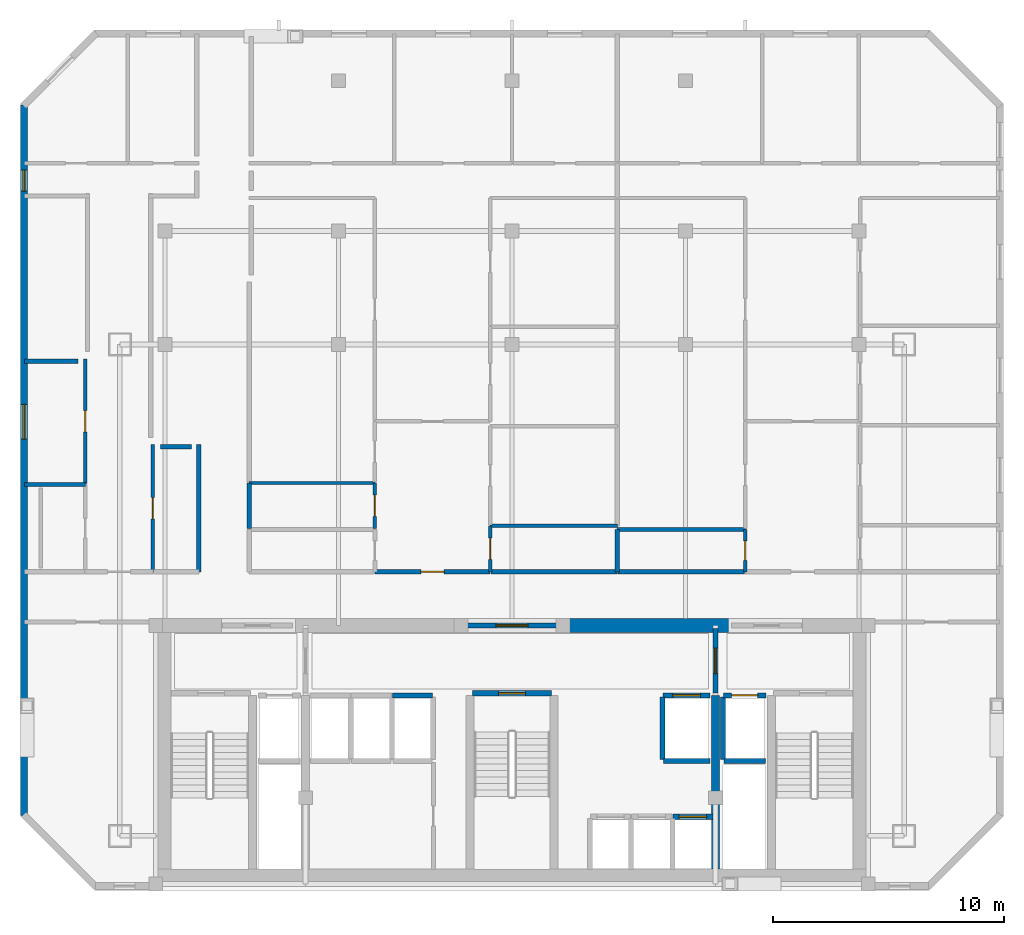
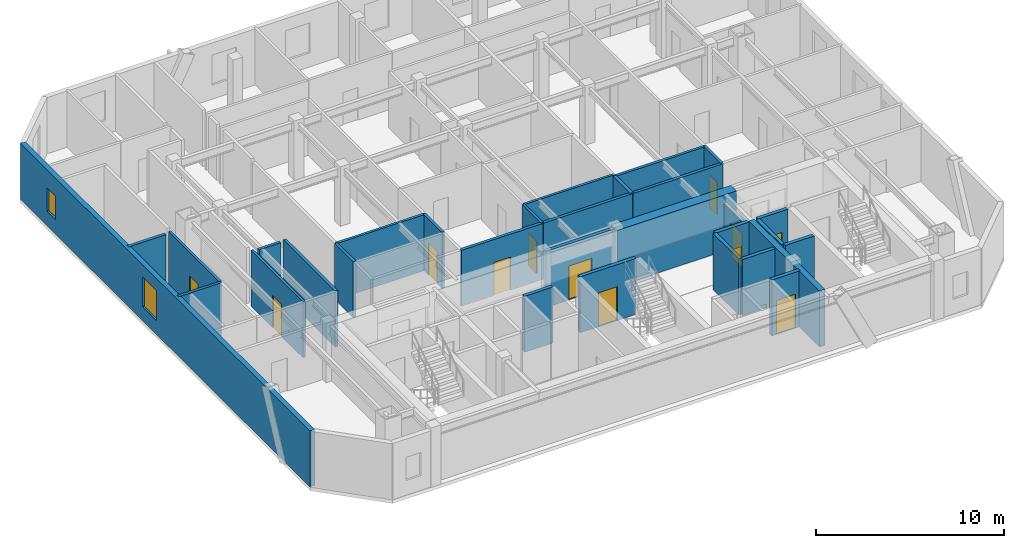
# One storey, part 3 of 7: 31 walls, 12 doors, 2 windows, 14 openings.
"""IFC4 building model written with IfcOpenShell, lengths in metres."""

from ifc_helpers import new_model, si_unit, direction, frame, frame_2d, origin, place, context, subcontext, project, spatial, rectangle, extrude, material, layer, layer_set, type_object, element, fill, save


model = new_model("IFC4")

# Units and contexts
model_context = context("Model", 3, precision=1e-05, world=origin(), true_north=direction((0.0, 1.0)))
body_context = subcontext(model_context, "Body", "Model", "MODEL_VIEW")
ifc_project = project(units=[si_unit("LENGTHUNIT", "METRE"), si_unit("AREAUNIT", "SQUARE_METRE"), si_unit("VOLUMEUNIT", "CUBIC_METRE"), si_unit("PLANEANGLEUNIT", "RADIAN"), si_unit("MASSUNIT", "GRAM", prefix="KILO")], contexts=[model_context])

# Site, building, storey
site_placement = place(None, origin())
site = spatial("IfcSite", under=ifc_project, at=site_placement, CompositionType="ELEMENT")
building_placement = place(site_placement, origin())
building = spatial("IfcBuilding", under=site, at=building_placement, Name="Ventersveld Concourse Tower", CompositionType="ELEMENT")
storey_placement = place(building_placement, frame((0.0, 0.0, 227.25)))
storey = spatial("IfcBuildingStorey", under=building, at=storey_placement, Name="L56", CompositionType="ELEMENT", Elevation=227.25)

# Walls
ifc_material_1 = material(Name="Concrete C50/60", Category="concrete")
ifc_layer_1 = layer(ifc_material_1, 0.35009765625)
ifc_layer_set_1 = layer_set([ifc_layer_1], Name="Concrete C50/60")
wall_type_1 = type_object("IfcWallType", Name="WL-CORE-350U", PredefinedType="SHEAR", material=ifc_layer_set_1)
wall_1_placement = place(storey_placement, frame((37.550048828125, 0.919921875, 0.0), z_axis=(0.0, 0.0, 1.0), x_axis=(0.0, 1.0, 0.0)))
element("IfcWall", 1, at=wall_1_placement, inside=storey, type_object=wall_type_1, Name="L56 Core Internal Shear Web W-SVL-W", PredefinedType="SHEAR", context=body_context, shape_type="SweptSolid", body=[
    extrude(rectangle(XDim=7.5, YDim=0.35009765625, at=frame_2d((3.75, 0.0))), origin(), (0.0, 0.0, 1.0), 3.6298828125),
])
ifc_layer_2 = layer(ifc_material_1, 0.60009765625)
ifc_layer_set_2 = layer_set([ifc_layer_2], Name="Concrete C50/60")
wall_type_2 = type_object("IfcWallType", Name="WL-CORE-600", PredefinedType="SHEAR", material=ifc_layer_set_2)
wall_2_placement = place(storey_placement, frame((30.89990234375, 11.449951171875, 0.0), z_axis=(0.0, 0.0, 1.0), x_axis=(1.0, 0.0, 0.0)))
element("IfcWall", 2, at=wall_2_placement, inside=storey, type_object=wall_type_2, Name="L56 Rear Core North Shear Wall NMR", PredefinedType="SHEAR", context=body_context, shape_type="SweptSolid", body=[
    extrude(rectangle(XDim=7.300048828125, YDim=0.60009765625, at=frame_2d((3.64990234375, 0.0))), origin(), (0.0, 0.0, 1.0), 3.6298828125),
])
ifc_material_2 = material(Name="Fire-rated autoclaved aerated masonry blockwork", Category="masonry")
ifc_layer_3 = layer(ifc_material_2, 0.179931640625)
ifc_layer_set_3 = layer_set([ifc_layer_3], Name="Fire-rated autoclaved aerated masonry blockwork")
wall_type_3 = type_object("IfcWallType", Name="WL-CORR-180", PredefinedType="PARTITIONING", material=ifc_layer_set_3)
wall_3_placement = place(storey_placement, frame((15.2099609375, 13.764892578125, 0.0), z_axis=(0.0, 0.0, 1.0), x_axis=(0.0, 1.0, 0.0)))
element("IfcWall", 3, at=wall_3_placement, inside=storey, type_object=wall_type_3, Name="L56 Interior Partition SP-L56-COR-SP-L56-56NW-KIT", PredefinedType="PARTITIONING", context=body_context, shape_type="SweptSolid", body=[
    extrude(rectangle(XDim=5.50634765625, YDim=0.179931640625, at=frame_2d((2.753173828125, 0.0))), origin(), (0.0, 0.0, 1.0), 3.6298828125),
])

# Wall, opening, door
wall_4_placement = place(storey_placement, frame((22.8173828125, 13.77001953125, 0.0), z_axis=(0.0, 0.0, 1.0), x_axis=(1.0, 0.0, 0.0)))
wall_4 = element("IfcWall", 4, at=wall_4_placement, inside=storey, type_object=wall_type_3, Name="L56 Interior Partition SP-L56-COR-SP-L56-56N1-FOY", PredefinedType="PARTITIONING", context=body_context, shape_type="SweptSolid", body=[
    extrude(rectangle(XDim=4.989990234375, YDim=0.179931640625, at=frame_2d((2.4951171875, 0.0))), origin(), (0.0, 0.0, 1.0), 3.6298828125),
])
opening_1_placement = place(wall_4_placement, frame((1.9951171875, 0.0, 0.0)))
opening_1 = element("IfcOpeningElement", 5, at=opening_1_placement, cuts=wall_4, Name="Opening FD3", PredefinedType="OPENING", context=body_context, shape_type="SweptSolid", body=[
    extrude(rectangle(XDim=1.0, YDim=2.14990234375, at=frame_2d((0.5, 1.074951171875))), frame((0.0, 0.10009765625, 0.0), z_axis=(0.0, -1.0, 0.0), x_axis=(1.0, 0.0, 0.0)), (0.0, 0.0, 1.0), 0.199951171875),
])
ifc_material_3 = material(Name="Solid-core hardwood veneer timber", Category="wood")
door_type_1 = type_object("IfcDoorType", Name="DR-FLAT-100", OperationType="NOTDEFINED", PredefinedType="DOOR", material=ifc_material_3)
door_1_placement = place(opening_1_placement, origin())
door_1 = element("IfcDoor", 6, at=door_1_placement, inside=storey, type_object=door_type_1, Name="L56 Interior Door SP-L56-COR to SP-L56-56N1-FOY (FD-L56-2706)", OperationType="SINGLE_SWING_RIGHT", OverallHeight=2.14990234375, OverallWidth=1.0, PredefinedType="DOOR", context=body_context, shape_type="SweptSolid", body=[
    extrude(rectangle(XDim=1.0, YDim=2.14990234375, at=frame_2d((0.5, 1.074951171875))), frame((0.0, 0.02490234375, 0.0), z_axis=(0.0, -1.0, 0.0), x_axis=(1.0, 0.0, 0.0)), (0.0, 0.0, 1.0), 0.050048828125),
])
fill(opening_1, door_1)

# Walls
wall_5_placement = place(storey_placement, frame((17.389892578125, 15.635009765625, 0.0), z_axis=(0.0, 0.0, 1.0), x_axis=(0.0, 1.0, 0.0)))
element("IfcWall", 7, at=wall_5_placement, inside=storey, type_object=wall_type_3, Name="L56 Interior Partition SP-L56-COR-SP-L56-56N1-PANL0", PredefinedType="PARTITIONING", context=body_context, shape_type="SweptSolid", body=[
    extrude(rectangle(XDim=1.977783203125, YDim=0.179931640625, at=frame_2d((0.98876953125, 0.0))), origin(), (0.0, 0.0, 1.0), 3.6298828125),
])
wall_6_placement = place(storey_placement, frame((27.83740234375, 13.77001953125, 0.0), z_axis=(0.0, 0.0, 1.0), x_axis=(1.0, 0.0, 0.0)))
element("IfcWall", 8, at=wall_6_placement, inside=storey, type_object=wall_type_3, Name="L56 Interior Partition SP-L56-COR-SP-L56-56N1-KIT", PredefinedType="PARTITIONING", context=body_context, shape_type="SweptSolid", body=[
    extrude(rectangle(XDim=5.467529296875, YDim=0.179931640625, at=frame_2d((2.73388671875, 0.0))), origin(), (0.0, 0.0, 1.0), 3.6298828125),
])
wall_7_placement = place(storey_placement, frame((33.3349609375, 13.77001953125, 0.0), z_axis=(0.0, 0.0, 1.0), x_axis=(1.0, 0.0, 0.0)))
element("IfcWall", 9, at=wall_7_placement, inside=storey, type_object=wall_type_3, Name="L56 Interior Partition SP-L56-COR-SP-L56-56N2-BATH", PredefinedType="PARTITIONING", context=body_context, shape_type="SweptSolid", body=[
    extrude(rectangle(XDim=5.46044921875, YDim=0.179931640625, at=frame_2d((2.730224609375, 0.0))), origin(), (0.0, 0.0, 1.0), 3.6298828125),
])
wall_8_placement = place(storey_placement, frame((7.672607421875, 22.8740234375, 0.0), z_axis=(0.0, 0.0, 1.0), x_axis=(1.0, 0.0, 0.0)))
element("IfcWall", 10, at=wall_8_placement, inside=storey, type_object=wall_type_3, Name="L56 Room Enclosure Wall SP-L56-56NW-PANL0", PredefinedType="PARTITIONING", context=body_context, shape_type="SweptSolid", body=[
    extrude(rectangle(XDim=2.30615234375, YDim=0.179931640625, at=frame_2d((1.153076171875, 0.0))), origin(), (0.0, 0.0, 1.0), 3.6298828125),
])
wall_9_placement = place(storey_placement, frame((13.54931640625, 19.17626953125, 0.0), z_axis=(0.0, 0.0, 1.0), x_axis=(1.0, 0.0, 0.0)))
element("IfcWall", 11, at=wall_9_placement, inside=storey, type_object=wall_type_3, Name="L56 Room Enclosure Wall SP-L56-56NW-KIT", PredefinedType="PARTITIONING", context=body_context, shape_type="SweptSolid", body=[
    extrude(rectangle(XDim=1.335693359375, YDim=0.179931640625, at=frame_2d((0.66796875, 0.0))), origin(), (0.0, 0.0, 1.0), 3.6298828125),
])
ifc_layer_4 = layer(ifc_material_2, 0.199951171875)
ifc_layer_set_4 = layer_set([ifc_layer_4], Name="Fire-rated autoclaved aerated masonry blockwork")
wall_type_4 = type_object("IfcWallType", Name="WL-DEMISE-200", PredefinedType="PARTITIONING", material=ifc_layer_set_4)
wall_10_placement = place(storey_placement, frame((33.300048828125, 13.764892578125, 0.0), z_axis=(0.0, 0.0, 1.0), x_axis=(0.0, 1.0, 0.0)))
element("IfcWall", 12, at=wall_10_placement, inside=storey, type_object=wall_type_4, Name="L56 Interior Partition SP-L56-56N1-KIT-SP-L56-56N2-BATH", PredefinedType="PARTITIONING", context=body_context, shape_type="SweptSolid", body=[
    extrude(rectangle(XDim=1.840087890625, YDim=0.199951171875, at=frame_2d((0.919921875, 0.0))), origin(), (0.0, 0.0, 1.0), 3.6298828125),
])
ifc_layer_5 = layer(ifc_material_2, 0.219970703125)
ifc_layer_set_5 = layer_set([ifc_layer_5], Name="Fire-rated autoclaved aerated masonry blockwork")
wall_type_5 = type_object("IfcWallType", Name="WL-HOIST-220", PredefinedType="SOLIDWALL", material=ifc_layer_set_5)
wall_11_placement = place(storey_placement, frame((37.919921875, 5.590087890625, 0.0), z_axis=(0.0, 0.0, 1.0), x_axis=(1.0, 0.0, 0.0)))
element("IfcWall", 13, at=wall_11_placement, inside=storey, type_object=wall_type_5, Name="L56 Lift Hoistway Back Wall FFL-02", PredefinedType="SOLIDWALL", context=body_context, shape_type="SweptSolid", body=[
    extrude(rectangle(XDim=1.780029296875, YDim=0.219970703125, at=frame_2d((0.89013671875, 0.0))), origin(), (0.0, 0.0, 1.0), 3.6298828125),
])
wall_12_placement = place(storey_placement, frame((37.8798828125, 5.64990234375, 0.0), z_axis=(0.0, 0.0, 1.0), x_axis=(0.0, 1.0, 0.0)))
element("IfcWall", 14, at=wall_12_placement, inside=storey, type_object=wall_type_5, Name="L56 Lift Hoistway Side Wall FFL-02W", PredefinedType="SOLIDWALL", context=body_context, shape_type="SweptSolid", body=[
    extrude(rectangle(XDim=2.7001953125, YDim=0.219970703125, at=frame_2d((1.35009765625, 0.0))), origin(), (0.0, 0.0, 1.0), 3.6298828125),
])

# Wall, opening, door
wall_13_placement = place(storey_placement, frame((37.89990234375, 8.429931640625, 0.0), z_axis=(0.0, 0.0, 1.0), x_axis=(1.0, 0.0, 0.0)))
wall_13 = element("IfcWall", 15, at=wall_13_placement, inside=storey, type_object=wall_type_5, Name="L56 Lift Hoistway Front Wall FFL-02", PredefinedType="SOLIDWALL", context=body_context, shape_type="SweptSolid", body=[
    extrude(rectangle(XDim=1.820068359375, YDim=0.219970703125, at=frame_2d((0.91015625, 0.0))), origin(), (0.0, 0.0, 1.0), 3.6298828125),
])
opening_2_placement = place(wall_13_placement, frame((0.35009765625, 0.0, 0.0)))
opening_2 = element("IfcOpeningElement", 16, at=opening_2_placement, cuts=wall_13, Name="Opening LD1", PredefinedType="OPENING", context=body_context, shape_type="SweptSolid", body=[
    extrude(rectangle(XDim=1.1201171875, YDim=2.25, at=frame_2d((0.56005859375, 1.125))), frame((0.0, 0.1201171875, 0.0), z_axis=(0.0, -1.0, 0.0), x_axis=(1.0, 0.0, 0.0)), (0.0, 0.0, 1.0), 0.239990234375),
])
ifc_material_4 = material(Name="Brushed stainless steel 316", Category="steel")
door_type_2 = type_object("IfcDoorType", Name="LD-FF-112", OperationType="SLIDING_TO_LEFT", PredefinedType="DOOR", material=ifc_material_4)
door_2_placement = place(opening_2_placement, origin())
door_2 = element("IfcDoor", 17, at=door_2_placement, inside=storey, type_object=door_type_2, Name="L56 Lift landing door FFL-02 (LD-L56-FFL-02)", OperationType="SLIDING_TO_RIGHT", OverallHeight=2.25, OverallWidth=1.1201171875, PredefinedType="DOOR", context=body_context, shape_type="SweptSolid", body=[
    extrude(rectangle(XDim=1.1201171875, YDim=2.25, at=frame_2d((0.56005859375, 1.125))), frame((0.0, 0.02490234375, 0.0), z_axis=(0.0, -1.0, 0.0), x_axis=(1.0, 0.0, 0.0)), (0.0, 0.0, 1.0), 0.050048828125),
])
fill(opening_2, door_2)

# Walls
wall_14_placement = place(storey_placement, frame((35.300048828125, 5.590087890625, 0.0), z_axis=(0.0, 0.0, 1.0), x_axis=(1.0, 0.0, 0.0)))
element("IfcWall", 18, at=wall_14_placement, inside=storey, type_object=wall_type_5, Name="L56 Lift Hoistway Back Wall SVL-01", PredefinedType="SOLIDWALL", context=body_context, shape_type="SweptSolid", body=[
    extrude(rectangle(XDim=2.0, YDim=0.219970703125, at=frame_2d((1.0, 0.0))), origin(), (0.0, 0.0, 1.0), 3.6298828125),
])
wall_15_placement = place(storey_placement, frame((35.260009765625, 5.64990234375, 0.0), z_axis=(0.0, 0.0, 1.0), x_axis=(0.0, 1.0, 0.0)))
element("IfcWall", 19, at=wall_15_placement, inside=storey, type_object=wall_type_5, Name="L56 Lift Hoistway Side Wall SVL-01W", PredefinedType="SOLIDWALL", context=body_context, shape_type="SweptSolid", body=[
    extrude(rectangle(XDim=2.7001953125, YDim=0.219970703125, at=frame_2d((1.35009765625, 0.0))), origin(), (0.0, 0.0, 1.0), 3.6298828125),
])

# Wall, opening, door
wall_16_placement = place(storey_placement, frame((35.280029296875, 8.429931640625, 0.0), z_axis=(0.0, 0.0, 1.0), x_axis=(1.0, 0.0, 0.0)))
wall_16 = element("IfcWall", 20, at=wall_16_placement, inside=storey, type_object=wall_type_5, Name="L56 Lift Hoistway Front Wall SVL-01", PredefinedType="SOLIDWALL", context=body_context, shape_type="SweptSolid", body=[
    extrude(rectangle(XDim=2.0400390625, YDim=0.219970703125, at=frame_2d((1.02001953125, 0.0))), origin(), (0.0, 0.0, 1.0), 3.6298828125),
])
opening_3_placement = place(wall_16_placement, frame((0.429931640625, 0.0, 0.0)))
opening_3 = element("IfcOpeningElement", 21, at=opening_3_placement, cuts=wall_16, Name="Opening LD2", PredefinedType="OPENING", context=body_context, shape_type="SweptSolid", body=[
    extrude(rectangle(XDim=1.179931640625, YDim=2.199951171875, at=frame_2d((0.58984375, 1.10009765625))), frame((0.0, 0.1201171875, 0.0), z_axis=(0.0, -1.0, 0.0), x_axis=(1.0, 0.0, 0.0)), (0.0, 0.0, 1.0), 0.239990234375),
])
door_type_3 = type_object("IfcDoorType", Name="LD-PAX-118", OperationType="SLIDING_TO_LEFT", PredefinedType="DOOR", material=ifc_material_4)
door_3_placement = place(opening_3_placement, origin())
door_3 = element("IfcDoor", 22, at=door_3_placement, inside=storey, type_object=door_type_3, Name="L56 Lift landing door SVL-01 (LD-L56-SVL-01)", OperationType="SLIDING_TO_LEFT", OverallHeight=2.199951171875, OverallWidth=1.179931640625, PredefinedType="DOOR", context=body_context, shape_type="SweptSolid", body=[
    extrude(rectangle(XDim=1.179931640625, YDim=2.199951171875, at=frame_2d((0.58984375, 1.10009765625))), frame((0.0, 0.02490234375, 0.0), z_axis=(0.0, -1.0, 0.0), x_axis=(1.0, 0.0, 0.0)), (0.0, 0.0, 1.0), 0.050048828125),
])
fill(opening_3, door_3)

wall_17_placement = place(storey_placement, frame((35.699951171875, 3.179931640625, 0.0), z_axis=(0.0, 0.0, 1.0), x_axis=(1.0, 0.0, 0.0)))
wall_17 = element("IfcWall", 23, at=wall_17_placement, inside=storey, type_object=wall_type_5, Name="L56 Lift Hoistway Front Wall PM-03", PredefinedType="SOLIDWALL", context=body_context, shape_type="SweptSolid", body=[
    extrude(rectangle(XDim=1.739990234375, YDim=0.219970703125, at=frame_2d((0.8701171875, 0.0))), origin(), (0.0, 0.0, 1.0), 3.6298828125),
])
opening_4_placement = place(wall_17_placement, frame((0.280029296875, 0.0, 0.0)))
opening_4 = element("IfcOpeningElement", 24, at=opening_4_placement, cuts=wall_17, Name="Opening LD2", PredefinedType="OPENING", context=body_context, shape_type="SweptSolid", body=[
    extrude(rectangle(XDim=1.179931640625, YDim=2.199951171875, at=frame_2d((0.58984375, 1.10009765625))), frame((0.0, 0.1201171875, 0.0), z_axis=(0.0, -1.0, 0.0), x_axis=(1.0, 0.0, 0.0)), (0.0, 0.0, 1.0), 0.239990234375),
])
door_4_placement = place(opening_4_placement, origin())
door_4 = element("IfcDoor", 25, at=door_4_placement, inside=storey, type_object=door_type_3, Name="L56 Lift landing door PM-03 (LD-L56-PM-03)", OperationType="SLIDING_TO_RIGHT", OverallHeight=2.199951171875, OverallWidth=1.179931640625, PredefinedType="DOOR", context=body_context, shape_type="SweptSolid", body=[
    extrude(rectangle(XDim=1.179931640625, YDim=2.199951171875, at=frame_2d((0.58984375, 1.10009765625))), frame((0.0, 0.02490234375, 0.0), z_axis=(0.0, -1.0, 0.0), x_axis=(1.0, 0.0, 0.0)), (0.0, 0.0, 1.0), 0.050048828125),
])
fill(opening_4, door_4)

# Wall
wall_18_placement = place(storey_placement, frame((23.580078125, 8.429931640625, 0.0), z_axis=(0.0, 0.0, 1.0), x_axis=(1.0, 0.0, 0.0)))
element("IfcWall", 26, at=wall_18_placement, inside=storey, type_object=wall_type_5, Name="L56 Lift Hoistway Front Wall PH-03", PredefinedType="SOLIDWALL", context=body_context, shape_type="SweptSolid", body=[
    extrude(rectangle(XDim=1.739990234375, YDim=0.219970703125, at=frame_2d((0.8701171875, 0.0))), origin(), (0.0, 0.0, 1.0), 3.6298828125),
])

# Wall, opening, door
wall_19_placement = place(storey_placement, frame((27.0400390625, 8.52001953125, 0.0), z_axis=(0.0, 0.0, 1.0), x_axis=(1.0, 0.0, 0.0)))
wall_19 = element("IfcWall", 27, at=wall_19_placement, inside=storey, type_object=wall_type_5, Name="L56 Escape Stair ST03 Fire Wall", PredefinedType="SOLIDWALL", context=body_context, shape_type="SweptSolid", body=[
    extrude(rectangle(XDim=3.419921875, YDim=0.219970703125, at=frame_2d((1.7099609375, 0.0))), origin(), (0.0, 0.0, 1.0), 3.6298828125),
])
opening_5_placement = place(wall_19_placement, frame((1.135009765625, 0.0, 0.0)))
opening_5 = element("IfcOpeningElement", 28, at=opening_5_placement, cuts=wall_19, Name="Opening FD1", PredefinedType="OPENING", context=body_context, shape_type="SweptSolid", body=[
    extrude(rectangle(XDim=1.14990234375, YDim=2.199951171875, at=frame_2d((0.574951171875, 1.10009765625))), frame((0.0, 0.1201171875, 0.0), z_axis=(0.0, -1.0, 0.0), x_axis=(1.0, 0.0, 0.0)), (0.0, 0.0, 1.0), 0.239990234375),
])
ifc_material_5 = material(Name="Galvanised painted steel", Category="steel")
door_type_4 = type_object("IfcDoorType", Name="DR-STAIR-115", OperationType="NOTDEFINED", PredefinedType="DOOR", material=ifc_material_5)
door_5_placement = place(opening_5_placement, origin())
door_5 = element("IfcDoor", 29, at=door_5_placement, inside=storey, type_object=door_type_4, Name="L56 Escape Stair Door ST03 (SD-L56-2696)", OperationType="SINGLE_SWING_LEFT", OverallHeight=2.199951171875, OverallWidth=1.14990234375, PredefinedType="DOOR", context=body_context, shape_type="SweptSolid", body=[
    extrude(rectangle(XDim=1.14990234375, YDim=2.199951171875, at=frame_2d((0.574951171875, 1.10009765625))), frame((0.0, 0.02490234375, 0.0), z_axis=(0.0, -1.0, 0.0), x_axis=(1.0, 0.0, 0.0)), (0.0, 0.0, 1.0), 0.050048828125),
])
fill(opening_5, door_5)

wall_20_placement = place(storey_placement, frame((37.550048828125, 8.52001953125, 0.0), z_axis=(0.0, 0.0, 1.0), x_axis=(0.0, 1.0, 0.0)))
wall_20 = element("IfcWall", 30, at=wall_20_placement, inside=storey, type_object=wall_type_5, Name="L56 Firefighting Lobby Smoke-Stop Wall FFLE-SEP", PredefinedType="SOLIDWALL", context=body_context, shape_type="SweptSolid", body=[
    extrude(rectangle(XDim=2.800048828125, YDim=0.219970703125, at=frame_2d((1.39990234375, 0.0))), origin(), (0.0, 0.0, 1.0), 3.08544921875),
])
opening_6_placement = place(wall_20_placement, frame((0.85009765625, 0.0, 0.0)))
opening_6 = element("IfcOpeningElement", 31, at=opening_6_placement, cuts=wall_20, Name="Opening FD2", PredefinedType="OPENING", context=body_context, shape_type="SweptSolid", body=[
    extrude(rectangle(XDim=1.10009765625, YDim=2.199951171875, at=frame_2d((0.550048828125, 1.10009765625))), frame((0.0, 0.1201171875, 0.0), z_axis=(0.0, -1.0, 0.0), x_axis=(1.0, 0.0, 0.0)), (0.0, 0.0, 1.0), 0.239990234375),
])
door_type_5 = type_object("IfcDoorType", Name="DR-FFL-110", OperationType="NOTDEFINED", PredefinedType="DOOR", material=ifc_material_5)
door_6_placement = place(opening_6_placement, origin())
door_6 = element("IfcDoor", 32, at=door_6_placement, inside=storey, type_object=door_type_5, Name="L56 Firefighting Lobby Door FFLE-SEP (FD-L56-2698)", OperationType="SINGLE_SWING_RIGHT", OverallHeight=2.199951171875, OverallWidth=1.10009765625, PredefinedType="DOOR", context=body_context, shape_type="SweptSolid", body=[
    extrude(rectangle(XDim=1.10009765625, YDim=2.199951171875, at=frame_2d((0.550048828125, 1.10009765625))), frame((0.0, 0.02490234375, 0.0), z_axis=(0.0, -1.0, 0.0), x_axis=(1.0, 0.0, 0.0)), (0.0, 0.0, 1.0), 0.050048828125),
])
fill(opening_6, door_6)

wall_21_placement = place(storey_placement, frame((26.6298828125, 11.449951171875, 0.0), z_axis=(0.0, 0.0, 1.0), x_axis=(1.0, 0.0, 0.0)))
wall_21 = element("IfcWall", 33, at=wall_21_placement, inside=storey, type_object=wall_type_5, Name="L56 Core North Fire Portal PLOB-OUT", PredefinedType="SOLIDWALL", context=body_context, shape_type="SweptSolid", body=[
    extrude(rectangle(XDim=4.240234375, YDim=0.219970703125, at=frame_2d((2.1201171875, 0.0))), origin(), (0.0, 0.0, 1.0), 3.6298828125),
])
opening_7_placement = place(wall_21_placement, frame((1.419921875, 0.0, 0.0)))
opening_7 = element("IfcOpeningElement", 34, at=opening_7_placement, cuts=wall_21, Name="Opening FD4", PredefinedType="OPENING", context=body_context, shape_type="SweptSolid", body=[
    extrude(rectangle(XDim=1.39990234375, YDim=2.199951171875, at=frame_2d((0.699951171875, 1.10009765625))), frame((0.0, 0.1201171875, 0.0), z_axis=(0.0, -1.0, 0.0), x_axis=(1.0, 0.0, 0.0)), (0.0, 0.0, 1.0), 0.239990234375),
])
door_type_6 = type_object("IfcDoorType", Name="DR-PLANT-140", OperationType="DOUBLE_DOOR_SINGLE_SWING", PredefinedType="DOOR", material=ifc_material_5)
door_7_placement = place(opening_7_placement, origin())
door_7 = element("IfcDoor", 35, at=door_7_placement, inside=storey, type_object=door_type_6, Name="L56 Core Lobby Fire Door PLOB-OUT (FD-L56-2700)", OperationType="DOUBLE_DOOR_SINGLE_SWING", OverallHeight=2.199951171875, OverallWidth=1.39990234375, PredefinedType="DOOR", context=body_context, shape_type="SweptSolid", body=[
    extrude(rectangle(XDim=1.39990234375, YDim=2.199951171875, at=frame_2d((0.699951171875, 1.10009765625))), frame((0.0, 0.02490234375, 0.0), z_axis=(0.0, -1.0, 0.0), x_axis=(1.0, 0.0, 0.0)), (0.0, 0.0, 1.0), 0.050048828125),
])
fill(opening_7, door_7)

ifc_material_6 = material(Name="Autoclaved aerated masonry blockwork", Category="masonry")
ifc_layer_6 = layer(ifc_material_6, 0.14990234375)
ifc_layer_set_6 = layer_set([ifc_layer_6], Name="Autoclaved aerated masonry blockwork")
wall_type_6 = type_object("IfcWallType", Name="WL-INT-150", PredefinedType="PARTITIONING", material=ifc_layer_set_6)
wall_22_placement = place(storey_placement, frame((10.3037109375, 17.583984375, 0.0), z_axis=(0.0, 0.0, 1.0), x_axis=(0.0, 1.0, 0.0)))
wall_22 = element("IfcWall", 36, at=wall_22_placement, inside=storey, type_object=wall_type_6, Name="L56 Interior Partition SP-L56-56NW-LIV-SP-L56-56NW-PANL0", PredefinedType="PARTITIONING", context=body_context, shape_type="SweptSolid", body=[
    extrude(rectangle(XDim=5.385009765625, YDim=0.14990234375, at=frame_2d((2.6923828125, 0.0))), origin(), (0.0, 0.0, 1.0), 3.6298828125),
])
opening_8_placement = place(wall_22_placement, frame((2.232421875, 0.0, 0.0)))
opening_8 = element("IfcOpeningElement", 37, at=opening_8_placement, cuts=wall_22, Name="Opening ID1", PredefinedType="OPENING", context=body_context, shape_type="SweptSolid", body=[
    extrude(rectangle(XDim=0.919921875, YDim=2.10009765625, at=frame_2d((0.4599609375, 1.050048828125))), frame((0.0, 0.0849609375, 0.0), z_axis=(0.0, -1.0, 0.0), x_axis=(1.0, 0.0, 0.0)), (0.0, 0.0, 1.0), 0.169921875),
])
door_type_7 = type_object("IfcDoorType", Name="DR-ROOM-092", OperationType="NOTDEFINED", PredefinedType="DOOR", material=ifc_material_3)
door_8_placement = place(opening_8_placement, origin())
door_8 = element("IfcDoor", 38, at=door_8_placement, inside=storey, type_object=door_type_7, Name="L56 Interior Door SP-L56-56NW-LIV to SP-L56-56NW-PANL0 (D-L56-2709)", OperationType="SINGLE_SWING_LEFT", OverallHeight=2.10009765625, OverallWidth=0.919921875, PredefinedType="DOOR", context=body_context, shape_type="SweptSolid", body=[
    extrude(rectangle(XDim=0.919921875, YDim=2.10009765625, at=frame_2d((0.4599609375, 1.050048828125))), frame((0.0, 0.02490234375, 0.0), z_axis=(0.0, -1.0, 0.0), x_axis=(1.0, 0.0, 0.0)), (0.0, 0.0, 1.0), 0.050048828125),
])
fill(opening_8, door_8)

wall_23_placement = place(storey_placement, frame((13.22412109375, 13.764892578125, 0.0), z_axis=(0.0, 0.0, 1.0), x_axis=(0.0, 1.0, 0.0)))
wall_23 = element("IfcWall", 39, at=wall_23_placement, inside=storey, type_object=wall_type_6, Name="L56 Interior Partition SP-L56-56NW-LIV-SP-L56-56NW-KIT", PredefinedType="PARTITIONING", context=body_context, shape_type="SweptSolid", body=[
    extrude(rectangle(XDim=5.50634765625, YDim=0.14990234375, at=frame_2d((2.753173828125, 0.0))), origin(), (0.0, 0.0, 1.0), 3.6298828125),
])
opening_9_placement = place(wall_23_placement, frame((2.293212890625, 0.0, 0.0)))
opening_9 = element("IfcOpeningElement", 40, at=opening_9_placement, cuts=wall_23, Name="Opening ID1", PredefinedType="OPENING", context=body_context, shape_type="SweptSolid", body=[
    extrude(rectangle(XDim=0.919921875, YDim=2.10009765625, at=frame_2d((0.4599609375, 1.050048828125))), frame((0.0, 0.0849609375, 0.0), z_axis=(0.0, -1.0, 0.0), x_axis=(1.0, 0.0, 0.0)), (0.0, 0.0, 1.0), 0.169921875),
])
door_9_placement = place(opening_9_placement, origin())
door_9 = element("IfcDoor", 41, at=door_9_placement, inside=storey, type_object=door_type_7, Name="L56 Interior Door SP-L56-56NW-LIV to SP-L56-56NW-KIT (D-L56-2710)", OperationType="SINGLE_SWING_RIGHT", OverallHeight=2.10009765625, OverallWidth=0.919921875, PredefinedType="DOOR", context=body_context, shape_type="SweptSolid", body=[
    extrude(rectangle(XDim=0.919921875, YDim=2.10009765625, at=frame_2d((0.4599609375, 1.050048828125))), frame((0.0, 0.02490234375, 0.0), z_axis=(0.0, -1.0, 0.0), x_axis=(1.0, 0.0, 0.0)), (0.0, 0.0, 1.0), 0.050048828125),
])
fill(opening_9, door_9)

wall_24_placement = place(storey_placement, frame((22.822265625, 15.635009765625, 0.0), z_axis=(0.0, 0.0, 1.0), x_axis=(0.0, 1.0, 0.0)))
wall_24 = element("IfcWall", 42, at=wall_24_placement, inside=storey, type_object=wall_type_6, Name="L56 Interior Partition SP-L56-56N1-FOY-SP-L56-56N1-PANL0", PredefinedType="PARTITIONING", context=body_context, shape_type="SweptSolid", body=[
    extrude(rectangle(XDim=1.977783203125, YDim=0.14990234375, at=frame_2d((0.98876953125, 0.0))), origin(), (0.0, 0.0, 1.0), 3.6298828125),
])
opening_10_placement = place(wall_24_placement, frame((0.52880859375, 0.0, 0.0)))
opening_10 = element("IfcOpeningElement", 43, at=opening_10_placement, cuts=wall_24, Name="Opening ID1", PredefinedType="OPENING", context=body_context, shape_type="SweptSolid", body=[
    extrude(rectangle(XDim=0.919921875, YDim=2.10009765625, at=frame_2d((0.4599609375, 1.050048828125))), frame((0.0, 0.0849609375, 0.0), z_axis=(0.0, -1.0, 0.0), x_axis=(1.0, 0.0, 0.0)), (0.0, 0.0, 1.0), 0.169921875),
])
door_10_placement = place(opening_10_placement, origin())
door_10 = element("IfcDoor", 44, at=door_10_placement, inside=storey, type_object=door_type_7, Name="L56 Interior Door SP-L56-56N1-FOY to SP-L56-56N1-PANL0 (D-L56-2715)", OperationType="SINGLE_SWING_LEFT", OverallHeight=2.10009765625, OverallWidth=0.919921875, PredefinedType="DOOR", context=body_context, shape_type="SweptSolid", body=[
    extrude(rectangle(XDim=0.919921875, YDim=2.10009765625, at=frame_2d((0.4599609375, 1.050048828125))), frame((0.0, 0.02490234375, 0.0), z_axis=(0.0, -1.0, 0.0), x_axis=(1.0, 0.0, 0.0)), (0.0, 0.0, 1.0), 0.050048828125),
])
fill(opening_10, door_10)

wall_25_placement = place(storey_placement, frame((27.80224609375, 13.764892578125, 0.0), z_axis=(0.0, 0.0, 1.0), x_axis=(0.0, 1.0, 0.0)))
wall_25 = element("IfcWall", 45, at=wall_25_placement, inside=storey, type_object=wall_type_6, Name="L56 Interior Partition SP-L56-56N1-FOY-SP-L56-56N1-KIT", PredefinedType="PARTITIONING", context=body_context, shape_type="SweptSolid", body=[
    extrude(rectangle(XDim=1.995361328125, YDim=0.14990234375, at=frame_2d((0.99755859375, 0.0))), origin(), (0.0, 0.0, 1.0), 3.6298828125),
])
opening_11_placement = place(wall_25_placement, frame((0.53759765625, 0.0, 0.0)))
opening_11 = element("IfcOpeningElement", 46, at=opening_11_placement, cuts=wall_25, Name="Opening ID1", PredefinedType="OPENING", context=body_context, shape_type="SweptSolid", body=[
    extrude(rectangle(XDim=0.919921875, YDim=2.10009765625, at=frame_2d((0.4599609375, 1.050048828125))), frame((0.0, 0.0849609375, 0.0), z_axis=(0.0, -1.0, 0.0), x_axis=(1.0, 0.0, 0.0)), (0.0, 0.0, 1.0), 0.169921875),
])
door_11_placement = place(opening_11_placement, origin())
door_11 = element("IfcDoor", 47, at=door_11_placement, inside=storey, type_object=door_type_7, Name="L56 Interior Door SP-L56-56N1-FOY to SP-L56-56N1-KIT (D-L56-2717)", OperationType="SINGLE_SWING_LEFT", OverallHeight=2.10009765625, OverallWidth=0.919921875, PredefinedType="DOOR", context=body_context, shape_type="SweptSolid", body=[
    extrude(rectangle(XDim=0.919921875, YDim=2.10009765625, at=frame_2d((0.4599609375, 1.050048828125))), frame((0.0, 0.02490234375, 0.0), z_axis=(0.0, -1.0, 0.0), x_axis=(1.0, 0.0, 0.0)), (0.0, 0.0, 1.0), 0.050048828125),
])
fill(opening_11, door_11)

# Walls
wall_26_placement = place(storey_placement, frame((17.385009765625, 17.60791015625, 0.0), z_axis=(0.0, 0.0, 1.0), x_axis=(1.0, 0.0, 0.0)))
element("IfcWall", 48, at=wall_26_placement, inside=storey, type_object=wall_type_6, Name="L56 Interior Partition SP-L56-56N1-PANL0-SP-L56-56N1-DENL", PredefinedType="PARTITIONING", context=body_context, shape_type="SweptSolid", body=[
    extrude(rectangle(XDim=5.4423828125, YDim=0.14990234375, at=frame_2d((2.72119140625, 0.0))), origin(), (0.0, 0.0, 1.0), 3.6298828125),
])
wall_27_placement = place(storey_placement, frame((27.79736328125, 15.75537109375, 0.0), z_axis=(0.0, 0.0, 1.0), x_axis=(1.0, 0.0, 0.0)))
element("IfcWall", 49, at=wall_27_placement, inside=storey, type_object=wall_type_6, Name="L56 Interior Partition SP-L56-56N1-KIT-SP-L56-56N1-DENR", PredefinedType="PARTITIONING", context=body_context, shape_type="SweptSolid", body=[
    extrude(rectangle(XDim=5.507568359375, YDim=0.14990234375, at=frame_2d((2.75390625, 0.0))), origin(), (0.0, 0.0, 1.0), 3.6298828125),
])

# Wall, openings, windows
ifc_material_7 = material(Name="Precast concrete C45/55", Category="concrete")
ifc_layer_7 = layer(ifc_material_7, 0.300048828125)
ifc_layer_set_7 = layer_set([ifc_layer_7], Name="Precast concrete C45/55")
wall_type_7 = type_object("IfcWallType", Name="WL-PREC-300", PredefinedType="SOLIDWALL", material=ifc_layer_set_7)
wall_28_placement = place(storey_placement, frame((7.64990234375, 33.9599609375, 0.0), z_axis=(0.0, 0.0, 1.0), x_axis=(0.0, -1.0, 0.0)))
wall_28 = element("IfcWall", 50, at=wall_28_placement, inside=storey, type_object=wall_type_7, Name="L56 Highveld Precast Facade Wall E07", PredefinedType="SOLIDWALL", context=body_context, shape_type="SweptSolid", body=[
    extrude(rectangle(XDim=30.719970703125, YDim=0.300048828125, at=frame_2d((15.35986328125, 0.0))), origin(), (0.0, 0.0, 1.0), 3.6298828125),
])
opening_12_placement = place(wall_28_placement, frame((2.830078125, 0.0, 0.949951171875)))
opening_12 = element("IfcOpeningElement", 51, at=opening_12_placement, cuts=wall_28, Name="Opening W4", PredefinedType="OPENING", context=body_context, shape_type="SweptSolid", body=[
    extrude(rectangle(XDim=0.89990234375, YDim=1.5, at=frame_2d((0.449951171875, 0.75))), frame((0.0, 0.16015625, 0.0), z_axis=(0.0, -1.0, 0.0), x_axis=(1.0, 0.0, 0.0)), (0.0, 0.0, 1.0), 0.320068359375),
])
opening_13_placement = place(wall_28_placement, frame((12.953369140625, 0.0, 0.89990234375)))
opening_13 = element("IfcOpeningElement", 52, at=opening_13_placement, cuts=wall_28, Name="Opening W1", PredefinedType="OPENING", context=body_context, shape_type="SweptSolid", body=[
    extrude(rectangle(XDim=1.5, YDim=1.949951171875, at=frame_2d((0.75, 0.97509765625))), frame((0.0, 0.16015625, 0.0), z_axis=(0.0, -1.0, 0.0), x_axis=(1.0, 0.0, 0.0)), (0.0, 0.0, 1.0), 0.320068359375),
])
ifc_material_8 = material(Name="Tempered acoustic Low-E IGU", Category="glass")
window_type_1 = type_object("IfcWindowType", Name="WIN-090x150", PartitioningType="SINGLE_PANEL", PredefinedType="WINDOW", material=ifc_material_8)
window_1_placement = place(opening_12_placement, origin())
window_1 = element("IfcWindow", 53, at=window_1_placement, inside=storey, type_object=window_type_1, Name="L56 Punched Low-E Window W-0798", OverallHeight=1.5, OverallWidth=0.89990234375, PartitioningType="SINGLE_PANEL", PredefinedType="WINDOW", context=body_context, shape_type="SweptSolid", body=[
    extrude(rectangle(XDim=0.89990234375, YDim=1.5, at=frame_2d((0.449951171875, 0.75))), frame((0.0, 0.030029296875, 0.0), z_axis=(0.0, -1.0, 0.0), x_axis=(1.0, 0.0, 0.0)), (0.0, 0.0, 1.0), 0.06005859375),
])
fill(opening_12, window_1)
window_type_2 = type_object("IfcWindowType", Name="WIN-150x210", PartitioningType="SINGLE_PANEL", PredefinedType="WINDOW", material=ifc_material_8)
window_2_placement = place(opening_13_placement, origin())
window_2 = element("IfcWindow", 54, at=window_2_placement, inside=storey, type_object=window_type_2, Name="L56 Punched Low-E Window W-0799", OverallHeight=1.949951171875, OverallWidth=1.5, PartitioningType="SINGLE_PANEL", PredefinedType="WINDOW", context=body_context, shape_type="SweptSolid", body=[
    extrude(rectangle(XDim=1.5, YDim=1.949951171875, at=frame_2d((0.75, 0.97509765625))), frame((0.0, 0.030029296875, 0.0), z_axis=(0.0, -1.0, 0.0), x_axis=(1.0, 0.0, 0.0)), (0.0, 0.0, 1.0), 0.06005859375),
])
fill(opening_13, window_2)

# Wall
ifc_layer_8 = layer(ifc_material_6, 0.1650390625)
ifc_layer_set_8 = layer_set([ifc_layer_8], Name="Autoclaved aerated masonry blockwork")
wall_type_8 = type_object("IfcWallType", Name="WL-WET-165", PredefinedType="PLUMBINGWALL", material=ifc_layer_set_8)
wall_29_placement = place(storey_placement, frame((7.672607421875, 17.549072265625, 0.0), z_axis=(0.0, 0.0, 1.0), x_axis=(1.0, 0.0, 0.0)))
element("IfcWall", 55, at=wall_29_placement, inside=storey, type_object=wall_type_8, Name="L56 Interior Partition SP-L56-56NW-BATH-SP-L56-56NW-PANL0", PredefinedType="PLUMBINGWALL", context=body_context, shape_type="SweptSolid", body=[
    extrude(rectangle(XDim=2.63623046875, YDim=0.1650390625, at=frame_2d((1.318115234375, 0.0))), origin(), (0.0, 0.0, 1.0), 3.6298828125),
])

# Wall, opening, door
wall_30_placement = place(storey_placement, frame((38.830322265625, 13.764892578125, 0.0), z_axis=(0.0, 0.0, 1.0), x_axis=(0.0, 1.0, 0.0)))
wall_30 = element("IfcWall", 56, at=wall_30_placement, inside=storey, type_object=wall_type_8, Name="L56 Interior Partition SP-L56-56N2-FOY-SP-L56-56N2-BATH", PredefinedType="PLUMBINGWALL", context=body_context, shape_type="SweptSolid", body=[
    extrude(rectangle(XDim=1.840087890625, YDim=0.1650390625, at=frame_2d((0.919921875, 0.0))), origin(), (0.0, 0.0, 1.0), 3.6298828125),
])
opening_14_placement = place(wall_30_placement, frame((0.4951171875, 0.0, 0.0)))
opening_14 = element("IfcOpeningElement", 57, at=opening_14_placement, cuts=wall_30, Name="Opening ID2", PredefinedType="OPENING", context=body_context, shape_type="SweptSolid", body=[
    extrude(rectangle(XDim=0.85009765625, YDim=2.10009765625, at=frame_2d((0.425048828125, 1.050048828125))), frame((0.0, 0.092529296875, 0.0), z_axis=(0.0, -1.0, 0.0), x_axis=(1.0, 0.0, 0.0)), (0.0, 0.0, 1.0), 0.18505859375),
])
door_type_8 = type_object("IfcDoorType", Name="DR-BATH-085", OperationType="NOTDEFINED", PredefinedType="DOOR", material=ifc_material_3)
door_12_placement = place(opening_14_placement, origin())
door_12 = element("IfcDoor", 58, at=door_12_placement, inside=storey, type_object=door_type_8, Name="L56 Interior Door SP-L56-56N2-FOY to SP-L56-56N2-BATH (D-L56-2726)", OperationType="SINGLE_SWING_RIGHT", OverallHeight=2.10009765625, OverallWidth=0.85009765625, PredefinedType="DOOR", context=body_context, shape_type="SweptSolid", body=[
    extrude(rectangle(XDim=0.85009765625, YDim=2.10009765625, at=frame_2d((0.425048828125, 1.050048828125))), frame((0.0, 0.02490234375, 0.0), z_axis=(0.0, -1.0, 0.0), x_axis=(1.0, 0.0, 0.0)), (0.0, 0.0, 1.0), 0.050048828125),
])
fill(opening_14, door_12)

# Wall
wall_31_placement = place(storey_placement, frame((33.294921875, 15.60009765625, 0.0), z_axis=(0.0, 0.0, 1.0), x_axis=(1.0, 0.0, 0.0)))
element("IfcWall", 59, at=wall_31_placement, inside=storey, type_object=wall_type_8, Name="L56 Interior Partition SP-L56-56N2-BATH-SP-L56-56N2-DENL", PredefinedType="PLUMBINGWALL", context=body_context, shape_type="SweptSolid", body=[
    extrude(rectangle(XDim=5.54052734375, YDim=0.1650390625, at=frame_2d((2.770263671875, 0.0))), origin(), (0.0, 0.0, 1.0), 3.6298828125),
])

save(model, "model.ifc")
